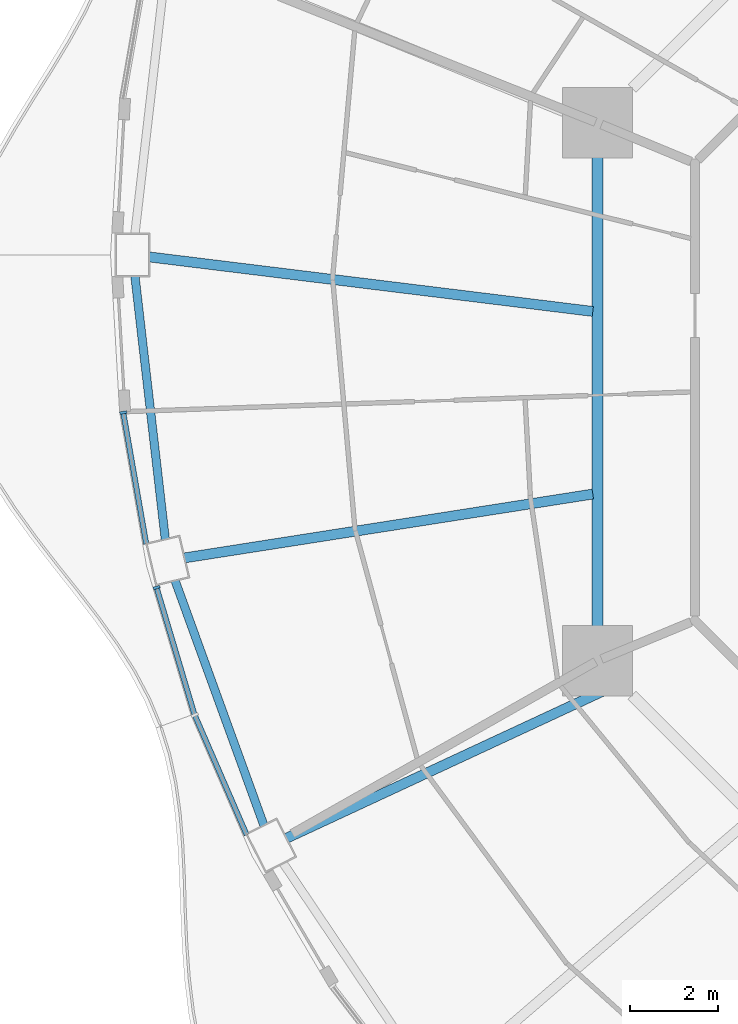
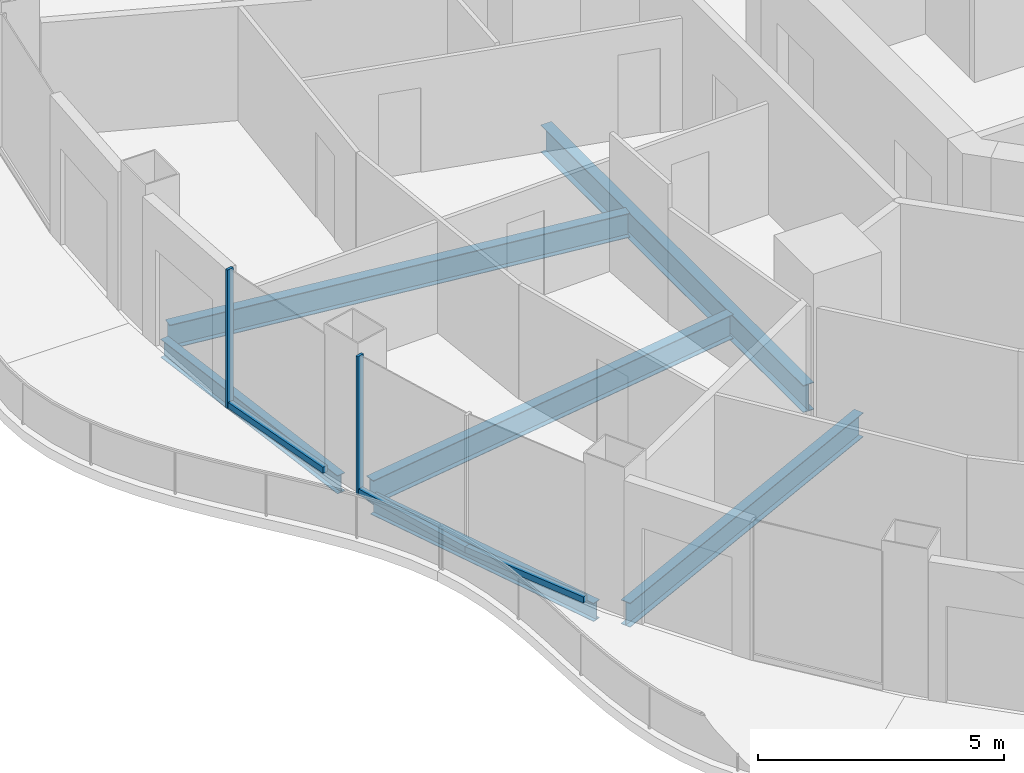
# One storey, part 3 of 18: 6 beams, 5 members, 3 elements without a shape of their own.
"""IFC4 building model written with IfcOpenShell, lengths in metres."""

from ifc_helpers import new_model, si_unit, direction, frame, origin, origin_2d, place, context, subcontext, project, spatial, rectangle, i_section, extrude, material, layer, layer_set, material_profile, profile_set, type_object, element, aggregate, save


model = new_model("IFC4")

# Units and contexts
model_context = context("Model", 3, precision=1e-05, world=origin(), true_north=direction((0.0, 1.0)))
body_context = subcontext(model_context, "Body", "Model", "MODEL_VIEW")
ifc_project = project(units=[si_unit("LENGTHUNIT", "METRE"), si_unit("AREAUNIT", "SQUARE_METRE"), si_unit("VOLUMEUNIT", "CUBIC_METRE"), si_unit("PLANEANGLEUNIT", "RADIAN"), si_unit("MASSUNIT", "GRAM", prefix="KILO")], contexts=[model_context])

# Site, building, storey
site_placement = place(None, origin())
site = spatial("IfcSite", under=ifc_project, at=site_placement, CompositionType="ELEMENT")
building_placement = place(site_placement, origin())
building = spatial("IfcBuilding", under=site, at=building_placement, Name="Nagisa Residences", CompositionType="ELEMENT")
storey_placement = place(building_placement, frame((0.0, 0.0, 227.0)))
storey = spatial("IfcBuildingStorey", under=building, at=storey_placement, Name="L57", CompositionType="ELEMENT", Elevation=227.0)

# Curtain wall, member
ifc_material_1 = material(Name="Concrete-coloured aluminium curtain wall system", Category="concrete")
ifc_layer = layer(ifc_material_1, 0.159912109375)
ifc_layer_set = layer_set([ifc_layer], Name="CW1 CURTAIN WALL")
curtain_wall_type = type_object("IfcCurtainWallType", Name="CW1 CURTAIN WALL", PredefinedType="NOTDEFINED", material=ifc_layer_set)
curtain_wall_1_placement = place(storey_placement, origin())
curtain_wall_1 = element("IfcCurtainWall", 1, at=curtain_wall_1_placement, inside=storey, type_object=curtain_wall_type, Name="cw:CW1:L57:25", PredefinedType="NOTDEFINED")
ifc_material_2 = material(Name="Concrete-coloured aluminium", Category="concrete")
ifc_material_profile_1 = material_profile(ifc_material_2, rectangle(XDim=0.159912109375, YDim=0.06005859375, at=origin_2d()), Name="CW1 MULLION 160x60")
ifc_profile_set_1 = profile_set([ifc_material_profile_1], Name="Concrete-coloured aluminium")
member_type_1 = type_object("IfcMemberType", Name="CW1 MULLION 160x60", PredefinedType="MULLION", material=ifc_profile_set_1)
member_1_placement = place(storey_placement, frame((-25.580078125, -0.47314453125, 0.0), z_axis=(0.0, 0.0, 1.0), x_axis=(0.985063604377, 0.172190868898, 0.0)))
member_1 = element("IfcMember", 2, at=member_1_placement, type_object=member_type_1, Name="CW1 mullion", PredefinedType="MULLION", context=body_context, shape_type="SweptSolid", body=[
    extrude(rectangle(XDim=0.159912109375, YDim=0.06005859375, at=origin_2d()), origin(), (0.0, 0.0, 1.0), 3.43994140625),
])

curtain_wall_2_placement = place(storey_placement, origin())
curtain_wall_2 = element("IfcCurtainWall", 3, at=curtain_wall_2_placement, inside=storey, type_object=curtain_wall_type, Name="cw:CW1:L57:26", PredefinedType="NOTDEFINED")
member_2_placement = place(storey_placement, frame((-24.82177734375, -4.456298828125, 0.0), z_axis=(0.0, 0.0, 1.0), x_axis=(0.958271310082, 0.285860274038, 0.0)))
member_2 = element("IfcMember", 4, at=member_2_placement, type_object=member_type_1, Name="CW1 mullion", PredefinedType="MULLION", context=body_context, shape_type="SweptSolid", body=[
    extrude(rectangle(XDim=0.159912109375, YDim=0.06005859375, at=origin_2d()), origin(), (0.0, 0.0, 1.0), 3.43994140625),
])

# Member
ifc_material_3 = material(Name="Concrete-coloured aluminium", Category="concrete")
ifc_material_profile_2 = material_profile(ifc_material_3, rectangle(XDim=0.1201171875, YDim=0.14990234375, at=origin_2d()), Name="CW1 TRANSOM 120x150")
ifc_profile_set_2 = profile_set([ifc_material_profile_2], Name="Concrete-coloured aluminium")
member_type_2 = type_object("IfcMemberType", Name="CW1 TRANSOM 120x150", PredefinedType="USERDEFINED", material=ifc_profile_set_2)
member_3_placement = place(storey_placement, frame((-25.585205078125, -0.443603515625, 0.074951171875), z_axis=(0.172164083933, -0.985068286061, 0.0), x_axis=(0.985068286061, 0.172164083933, 0.0)))
member_3 = element("IfcMember", 5, at=member_3_placement, type_object=member_type_2, Name="CW1 transom", ObjectType="TRANSOM", PredefinedType="USERDEFINED", context=body_context, shape_type="SweptSolid", body=[
    extrude(rectangle(XDim=0.1201171875, YDim=0.14990234375, at=origin_2d()), origin(), (0.0, 0.0, 1.0), 3.0673828125),
])

aggregate(curtain_wall_1, [member_1, member_3])

member_4_placement = place(storey_placement, frame((-24.830322265625, -4.427734375, 0.074951171875), z_axis=(0.285881452443, -0.958264992134, 0.0), x_axis=(0.958264992134, 0.285881452443, 0.0)))
member_4 = element("IfcMember", 6, at=member_4_placement, type_object=member_type_2, Name="CW1 transom", ObjectType="TRANSOM", PredefinedType="USERDEFINED", context=body_context, shape_type="SweptSolid", body=[
    extrude(rectangle(XDim=0.1201171875, YDim=0.14990234375, at=origin_2d()), origin(), (0.0, 0.0, 1.0), 3.040283203125),
])

aggregate(curtain_wall_2, [member_2, member_4])

# Curtain wall, member
curtain_wall_3_placement = place(storey_placement, origin())
curtain_wall_3 = element("IfcCurtainWall", 7, at=curtain_wall_3_placement, inside=storey, type_object=curtain_wall_type, Name="cw:CW1:L57:27", PredefinedType="NOTDEFINED")
member_5_placement = place(storey_placement, frame((-23.96435546875, -7.332275390625, 0.074951171875), z_axis=(0.397616567135, -0.917551669139, 0.0), x_axis=(0.917551669139, 0.397616567135, 0.0)))
member_5 = element("IfcMember", 8, at=member_5_placement, type_object=member_type_2, Name="CW1 transom", ObjectType="TRANSOM", PredefinedType="USERDEFINED", context=body_context, shape_type="SweptSolid", body=[
    extrude(rectangle(XDim=0.1201171875, YDim=0.14990234375, at=origin_2d()), origin(), (0.0, 0.0, 1.0), 3.001953125),
])
aggregate(curtain_wall_3, [member_5])

# Beams
ifc_material_4 = material(Name="Steel ASTM A572 Gr 50", Category="steel")
ifc_material_profile_3 = material_profile(ifc_material_4, i_section(OverallWidth=0.2529296875, OverallDepth=0.677978515625, WebThickness=0.01171875, FlangeThickness=0.016357421875, at=origin_2d()), Name="W690x125")
ifc_profile_set_3 = profile_set([ifc_material_profile_3], Name="Steel ASTM A572 Gr 50")
beam_type_1 = type_object("IfcBeamType", Name="Inner ring beam W690x125", PredefinedType="BEAM", material=ifc_profile_set_3)
beam_1_placement = place(storey_placement, frame((-14.781982421875, 5.343017578125, -0.59912109375), z_axis=(0.0, -1.0, 0.0), x_axis=(1.0, 0.0, 0.0)))
element("IfcBeam", 9, at=beam_1_placement, inside=storey, type_object=beam_type_1, Name="beam:L57:ib4", PredefinedType="BEAM", context=body_context, shape_type="SweptSolid", body=[
    extrude(i_section(OverallWidth=0.2529296875, OverallDepth=0.677978515625, WebThickness=0.01171875, FlangeThickness=0.016357421875, at=origin_2d()), origin(), (0.0, 0.0, 1.0), 10.68603515625),
])
ifc_material_5 = material(Name="Steel ASTM A572 Gr 50", Category="steel")
ifc_material_profile_4 = material_profile(ifc_material_5, i_section(OverallWidth=0.18994140625, OverallDepth=0.45703125, WebThickness=0.009033203125, FlangeThickness=0.014404296875, at=origin_2d()), Name="W460x74")
ifc_profile_set_4 = profile_set([ifc_material_profile_4], Name="Steel ASTM A572 Gr 50")
beam_type_2 = type_object("IfcBeamType", Name="Perimeter ring beam W460x74", PredefinedType="BEAM", material=ifc_profile_set_4)
beam_2_placement = place(storey_placement, frame((-25.314697265625, 2.637451171875, -0.488525390625), z_axis=(0.114650193512, -0.993405925656, 0.0), x_axis=(0.993405925656, 0.114650193512, 0.0)))
element("IfcBeam", 10, at=beam_2_placement, inside=storey, type_object=beam_type_2, Name="beam:L57:pb13", PredefinedType="BEAM", context=body_context, shape_type="SweptSolid", body=[
    extrude(i_section(OverallWidth=0.18994140625, OverallDepth=0.45703125, WebThickness=0.009033203125, FlangeThickness=0.014404296875, at=origin_2d()), origin(), (0.0, 0.0, 1.0), 6.0390625),
])
beam_3_placement = place(storey_placement, frame((-24.40185546875, -4.29638671875, -0.488525390625), z_axis=(0.341290329164, -0.939957930558, 0.0), x_axis=(0.939957930558, 0.341290329164, 0.0)))
element("IfcBeam", 11, at=beam_3_placement, inside=storey, type_object=beam_type_2, Name="beam:L57:pb14", PredefinedType="BEAM", context=body_context, shape_type="SweptSolid", body=[
    extrude(i_section(OverallWidth=0.18994140625, OverallDepth=0.45703125, WebThickness=0.009033203125, FlangeThickness=0.014404296875, at=origin_2d()), origin(), (0.0, 0.0, 1.0), 5.932373046875),
])
ifc_material_6 = material(Name="Steel ASTM A572 Gr 50", Category="steel")
ifc_material_profile_5 = material_profile(ifc_material_6, i_section(OverallWidth=0.22802734375, OverallDepth=0.60302734375, WebThickness=0.010498046875, FlangeThickness=0.014892578125, at=origin_2d()), Name="W610x101")
ifc_profile_set_5 = profile_set([ifc_material_profile_5], Name="Steel ASTM A572 Gr 50")
beam_type_3 = type_object("IfcBeamType", Name="Radial beam W610x101", PredefinedType="BEAM", material=ifc_profile_set_5)
beam_4_placement = place(storey_placement, frame((-24.98974609375, 3.071044921875, -0.5615234375), z_axis=(0.992531892614, -0.121985417749, 0.0), x_axis=(0.121985417749, 0.992531892614, 0.0)))
element("IfcBeam", 12, at=beam_4_placement, inside=storey, type_object=beam_type_3, Name="beam:L57:rb13", PredefinedType="BEAM", context=body_context, shape_type="SweptSolid", body=[
    extrude(i_section(OverallWidth=0.22802734375, OverallDepth=0.60302734375, WebThickness=0.010498046875, FlangeThickness=0.014892578125, at=origin_2d()), origin(), (0.0, 0.0, 1.0), 10.177001953125),
])
beam_5_placement = place(storey_placement, frame((-24.190185546875, -3.782958984375, -0.5615234375), z_axis=(0.987991506145, 0.154508199738, 0.0), x_axis=(-0.154508199738, 0.987991506145, 0.0)))
element("IfcBeam", 13, at=beam_5_placement, inside=storey, type_object=beam_type_3, Name="beam:L57:rb14", PredefinedType="BEAM", context=body_context, shape_type="SweptSolid", body=[
    extrude(i_section(OverallWidth=0.22802734375, OverallDepth=0.60302734375, WebThickness=0.010498046875, FlangeThickness=0.014892578125, at=origin_2d()), origin(), (0.0, 0.0, 1.0), 9.414306640625),
])
beam_6_placement = place(storey_placement, frame((-21.867431640625, -10.1669921875, -0.5615234375), z_axis=(0.906781531642, 0.421600822903, 0.0), x_axis=(-0.421600822903, 0.906781531642, 0.0)))
element("IfcBeam", 14, at=beam_6_placement, inside=storey, type_object=beam_type_3, Name="beam:L57:rb15", PredefinedType="BEAM", context=body_context, shape_type="SweptSolid", body=[
    extrude(i_section(OverallWidth=0.22802734375, OverallDepth=0.60302734375, WebThickness=0.010498046875, FlangeThickness=0.014892578125, at=origin_2d()), origin(), (0.0, 0.0, 1.0), 8.263427734375),
])

save(model, "model.ifc")
